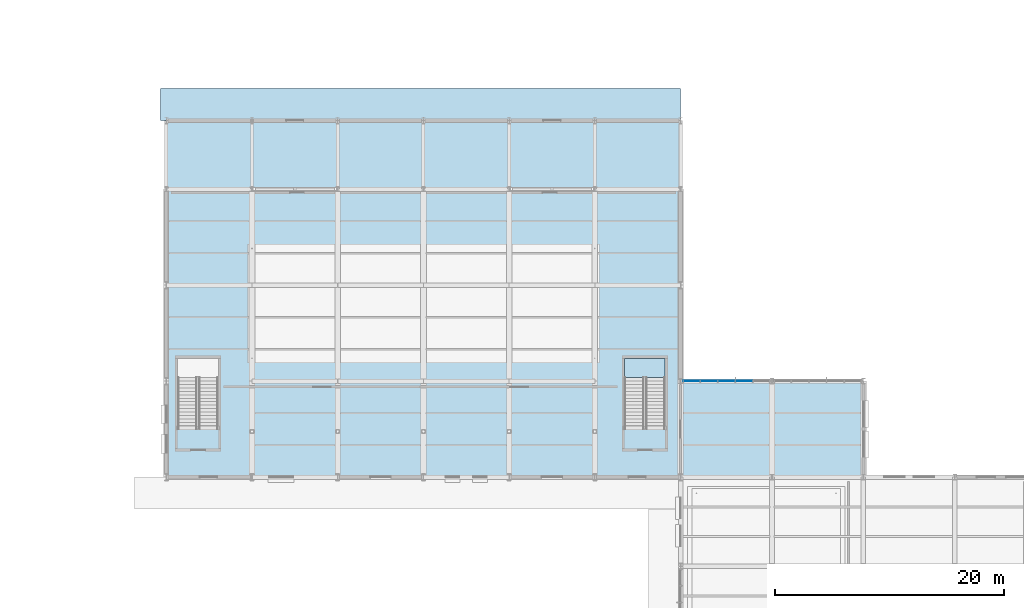
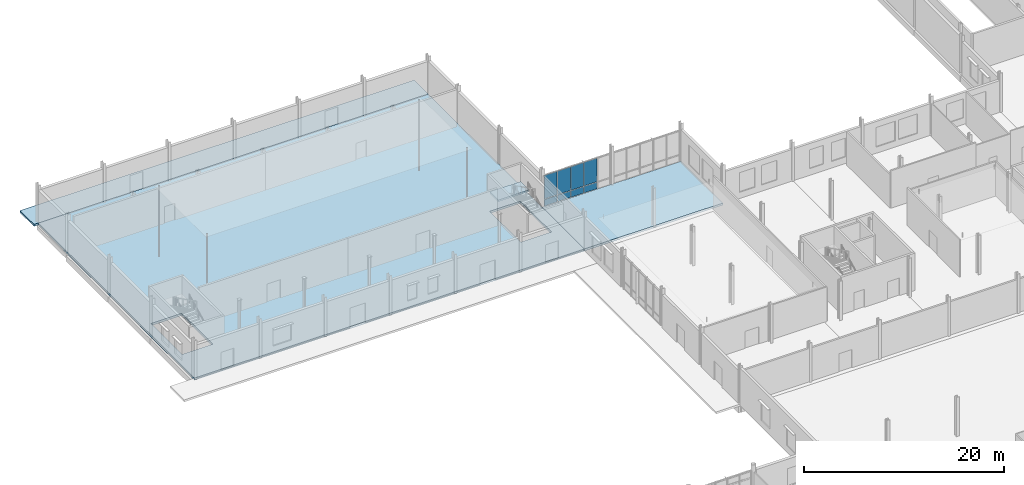
# One storey, part 47 of 82: 8 plates, 4 slabs, 2 elements without a shape of their own.
"""IFC4 building model written with IfcOpenShell, lengths in metres."""

from ifc_helpers import new_model, si_unit, direction, frame, origin, origin_2d, place, context, subcontext, project, spatial, polyline, rectangle, outline, extrude, material, layer, layer_set, type_object, element, aggregate, save


model = new_model("IFC4")

# Units and contexts
model_context = context("Model", 3, precision=1e-05, world=origin(), true_north=direction((0.0, 1.0)))
body_context = subcontext(model_context, "Body", "Model", "MODEL_VIEW")
ifc_project = project(units=[si_unit("LENGTHUNIT", "METRE"), si_unit("AREAUNIT", "SQUARE_METRE"), si_unit("VOLUMEUNIT", "CUBIC_METRE"), si_unit("PLANEANGLEUNIT", "RADIAN"), si_unit("MASSUNIT", "GRAM", prefix="KILO")], contexts=[model_context])

# Site, building, storey
site_placement = place(None, origin())
site = spatial("IfcSite", under=ifc_project, at=site_placement, CompositionType="ELEMENT")
building_placement = place(site_placement, origin())
building = spatial("IfcBuilding", under=site, at=building_placement, Name="Yukiwa Park Conservatory and Herbarium", CompositionType="ELEMENT")
storey_placement = place(building_placement, origin())
storey = spatial("IfcBuildingStorey", under=building, at=storey_placement, Name="L00", CompositionType="ELEMENT", Elevation=0.0)

# Curtain wall, plates
ifc_material_1 = material(Name="Triple Low-E Insulated Glass", Category="glass")
ifc_layer_1 = layer(ifc_material_1, 0.236083984375)
ifc_layer_set_1 = layer_set([ifc_layer_1], Name="Triple Low-E Insulated Glass")
curtain_wall_type = type_object("IfcCurtainWallType", Name="CW-LINK-1500", PredefinedType="NOTDEFINED", material=ifc_layer_set_1)
curtain_wall_placement = place(storey_placement, origin())
curtain_wall = element("IfcCurtainWall", 1, at=curtain_wall_placement, inside=storey, type_object=curtain_wall_type, Name="L00 unitised curtain wall CW-L00-016", PredefinedType="NOTDEFINED")
ifc_material_2 = material(Name="Triple Low-E Insulated Glass", Category="glass")
ifc_layer_2 = layer(ifc_material_2, 0.035888671875)
ifc_layer_set_2 = layer_set([ifc_layer_2], Name="Triple Low-E Insulated Glass")
plate_type_1 = type_object("IfcPlateType", Name="PL-CW-GLZ-36", PredefinedType="CURTAIN_PANEL", material=ifc_layer_set_2)
plate_1_placement = place(storey_placement, frame((65.554931640625, 86.39990234375, 0.93505859375), z_axis=(0.0, 0.0, 1.0), x_axis=(-1.0, 0.0, 0.0)))
plate_1 = element("IfcPlate", 2, at=plate_1_placement, type_object=plate_type_1, Name="CW-L00-016 vision panel 2.2", PredefinedType="CURTAIN_PANEL", context=body_context, shape_type="SweptSolid", body=[
    extrude(rectangle(XDim=1.4599609375, YDim=0.035888671875, at=origin_2d()), origin(), (0.0, 0.0, 1.0), 2.863037109375),
])
plate_2_placement = place(storey_placement, frame((64.02490234375, 86.39990234375, 0.93505859375), z_axis=(0.0, 0.0, 1.0), x_axis=(-1.0, 0.0, 0.0)))
plate_2 = element("IfcPlate", 3, at=plate_2_placement, type_object=plate_type_1, Name="CW-L00-016 vision panel 3.2", PredefinedType="CURTAIN_PANEL", context=body_context, shape_type="SweptSolid", body=[
    extrude(rectangle(XDim=1.4599609375, YDim=0.035888671875, at=origin_2d()), origin(), (0.0, 0.0, 1.0), 2.863037109375),
])
plate_3_placement = place(storey_placement, frame((62.4951171875, 86.39990234375, 0.93505859375), z_axis=(0.0, 0.0, 1.0), x_axis=(-1.0, 0.0, 0.0)))
plate_3 = element("IfcPlate", 4, at=plate_3_placement, type_object=plate_type_1, Name="CW-L00-016 vision panel 4.2", PredefinedType="CURTAIN_PANEL", context=body_context, shape_type="SweptSolid", body=[
    extrude(rectangle(XDim=1.4599609375, YDim=0.035888671875, at=origin_2d()), origin(), (0.0, 0.0, 1.0), 2.863037109375),
])
plate_4_placement = place(storey_placement, frame((60.965087890625, 86.39990234375, 0.93505859375), z_axis=(0.0, 0.0, 1.0), x_axis=(-1.0, 0.0, 0.0)))
plate_4 = element("IfcPlate", 5, at=plate_4_placement, type_object=plate_type_1, Name="CW-L00-016 vision panel 5.2", PredefinedType="CURTAIN_PANEL", context=body_context, shape_type="SweptSolid", body=[
    extrude(rectangle(XDim=1.4599609375, YDim=0.035888671875, at=origin_2d()), origin(), (0.0, 0.0, 1.0), 2.863037109375),
])
ifc_material_3 = material(Name="Anodised Aluminium", Category="aluminium")
ifc_layer_3 = layer(ifc_material_3, 0.044921875)
ifc_layer_set_3 = layer_set([ifc_layer_3], Name="Anodised Aluminium")
plate_type_2 = type_object("IfcPlateType", Name="PL-CW-SPN-45", PredefinedType="CURTAIN_PANEL", material=ifc_layer_set_3)
plate_5_placement = place(storey_placement, frame((65.554931640625, 86.39990234375, 0.070068359375), z_axis=(0.0, 0.0, 1.0), x_axis=(-1.0, 0.0, 0.0)))
plate_5 = element("IfcPlate", 6, at=plate_5_placement, type_object=plate_type_2, Name="CW-L00-016 spandrel panel 2.1", PredefinedType="CURTAIN_PANEL", context=body_context, shape_type="SweptSolid", body=[
    extrude(rectangle(XDim=1.4599609375, YDim=0.044921875, at=origin_2d()), origin(), (0.0, 0.0, 1.0), 0.794921875),
])
plate_6_placement = place(storey_placement, frame((64.02490234375, 86.39990234375, 0.070068359375), z_axis=(0.0, 0.0, 1.0), x_axis=(-1.0, 0.0, 0.0)))
plate_6 = element("IfcPlate", 7, at=plate_6_placement, type_object=plate_type_2, Name="CW-L00-016 spandrel panel 3.1", PredefinedType="CURTAIN_PANEL", context=body_context, shape_type="SweptSolid", body=[
    extrude(rectangle(XDim=1.4599609375, YDim=0.044921875, at=origin_2d()), origin(), (0.0, 0.0, 1.0), 0.794921875),
])
plate_7_placement = place(storey_placement, frame((62.4951171875, 86.39990234375, 0.070068359375), z_axis=(0.0, 0.0, 1.0), x_axis=(-1.0, 0.0, 0.0)))
plate_7 = element("IfcPlate", 8, at=plate_7_placement, type_object=plate_type_2, Name="CW-L00-016 spandrel panel 4.1", PredefinedType="CURTAIN_PANEL", context=body_context, shape_type="SweptSolid", body=[
    extrude(rectangle(XDim=1.4599609375, YDim=0.044921875, at=origin_2d()), origin(), (0.0, 0.0, 1.0), 0.794921875),
])
plate_8_placement = place(storey_placement, frame((60.965087890625, 86.39990234375, 0.070068359375), z_axis=(0.0, 0.0, 1.0), x_axis=(-1.0, 0.0, 0.0)))
plate_8 = element("IfcPlate", 9, at=plate_8_placement, type_object=plate_type_2, Name="CW-L00-016 spandrel panel 5.1", PredefinedType="CURTAIN_PANEL", context=body_context, shape_type="SweptSolid", body=[
    extrude(rectangle(XDim=1.4599609375, YDim=0.044921875, at=origin_2d()), origin(), (0.0, 0.0, 1.0), 0.794921875),
])
aggregate(curtain_wall, [plate_5, plate_1, plate_6, plate_2, plate_7, plate_3, plate_8, plate_4])

# Slabs
ifc_material_4 = material(Name="Concrete C35", Category="concrete")
ifc_layer_4 = layer(ifc_material_4, 0.239990234375)
ifc_layer_set_4 = layer_set([ifc_layer_4], Name="Concrete C35")
slab_type_1 = type_object("IfcSlabType", Name="SL-APRON-240", PredefinedType="FLOOR", material=ifc_layer_set_4)
slab_1_placement = place(storey_placement, frame((0.0, 0.0, -0.239990234375)))
element("IfcSlab", 10, at=slab_1_placement, inside=storey, type_object=slab_type_1, Name="Auditorium north stage exit apron", PredefinedType="FLOOR", context=body_context, shape_type="SweptSolid", body=[
    extrude(outline(polyline([(14.5, 109.199951171875), (60.0, 109.199951171875), (60.0, 112.0), (14.5, 112.0), (14.5, 109.199951171875)])), origin(), (0.0, 0.0, 1.0), 0.239990234375),
])
ifc_material_5 = material(Name="Concrete C40", Category="concrete")
ifc_layer_5 = layer(ifc_material_5, 0.260009765625)
ifc_layer_set_5 = layer_set([ifc_layer_5], Name="Concrete C40")
slab_type_2 = type_object("IfcSlabType", Name="SL-FLR-260", PredefinedType="FLOOR", material=ifc_layer_set_5)
slab_2_placement = place(storey_placement, frame((0.0, 0.0, -0.260009765625)))
element("IfcSlab", 11, at=slab_2_placement, inside=storey, type_object=slab_type_2, Name="L00 composite structural floor slab LNKAV", PredefinedType="FLOOR", context=body_context, shape_type="SweptSolid", body=[
    extrude(outline(polyline([(60.0, 78.0), (60.0, 86.39990234375), (76.0, 86.39990234375), (76.0, 78.0), (60.0, 78.0)])), origin(), (0.0, 0.0, 1.0), 0.260009765625),
])
slab_3_placement = place(storey_placement, frame((0.0, 0.0, -0.260009765625)))
element("IfcSlab", 12, at=slab_3_placement, inside=storey, type_object=slab_type_2, Name="L00 composite structural floor slab V4", PredefinedType="FLOOR", context=body_context, shape_type="SweptSolid", body=[
    extrude(outline(polyline([(15.0, 78.0), (15.0, 109.199951171875), (60.0, 109.199951171875), (60.0, 78.0), (15.0, 78.0)]), holes=[polyline([(19.550048828125, 88.39990234375), (16.0, 88.39990234375), (16.0, 82.199951171875), (19.550048828125, 82.199951171875), (19.550048828125, 88.39990234375)]), polyline([(58.64990234375, 88.39990234375), (55.10009765625, 88.39990234375), (55.10009765625, 82.199951171875), (58.64990234375, 82.199951171875), (58.64990234375, 88.39990234375)])]), origin(), (0.0, 0.0, 1.0), 0.260009765625),
])

# Stair, slab
ifc_material_6 = material(Name="Concrete C40", Category="concrete")
stair_type = type_object("IfcStairType", Name="ST-DOGLEG-ST-A2", PredefinedType="HALF_TURN_STAIR", material=ifc_material_6)
stair_placement = place(storey_placement, origin())
stair = element("IfcStair", 13, at=stair_placement, inside=storey, type_object=stair_type, Name="L00 Auditorium East Exit Stair ST-A2", PredefinedType="HALF_TURN_STAIR")
ifc_material_7 = material(Name="Concrete C40", Category="concrete")
ifc_layer_6 = layer(ifc_material_7, 0.199951171875)
ifc_layer_set_6 = layer_set([ifc_layer_6], Name="Concrete C40")
slab_type_3 = type_object("IfcSlabType", Name="SL-LANDING-220", PredefinedType="LANDING", material=ifc_layer_set_6)
slab_4_placement = place(storey_placement, frame((0.0, 0.0, 2.199951171875)))
slab_4 = element("IfcSlab", 14, at=slab_4_placement, type_object=slab_type_3, Name="ST-A2 landing 1", PredefinedType="LANDING", context=body_context, shape_type="SweptSolid", body=[
    extrude(outline(polyline([(58.64990234375, 86.699951171875), (58.64990234375, 88.39990234375), (55.10009765625, 88.39990234375), (55.10009765625, 86.699951171875), (58.64990234375, 86.699951171875)])), origin(), (0.0, 0.0, 1.0), 0.199951171875),
])
aggregate(stair, [slab_4])

save(model, "model.ifc")
